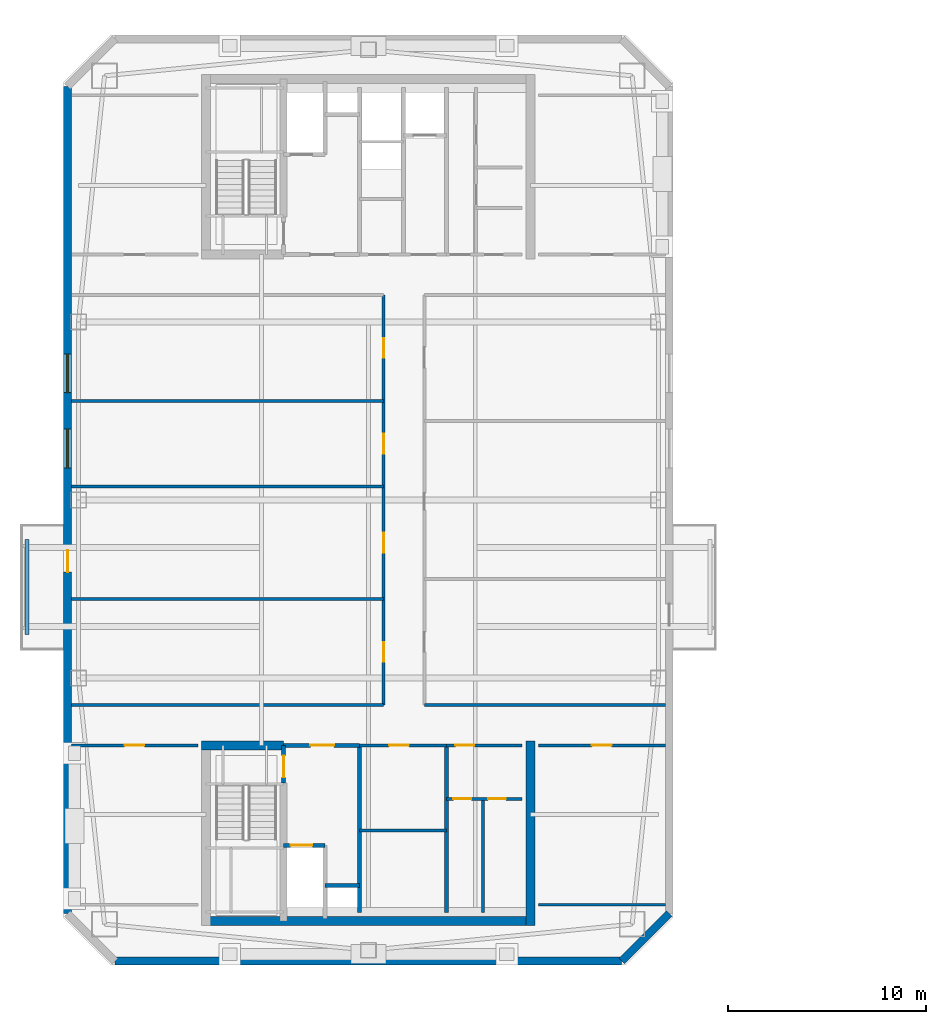
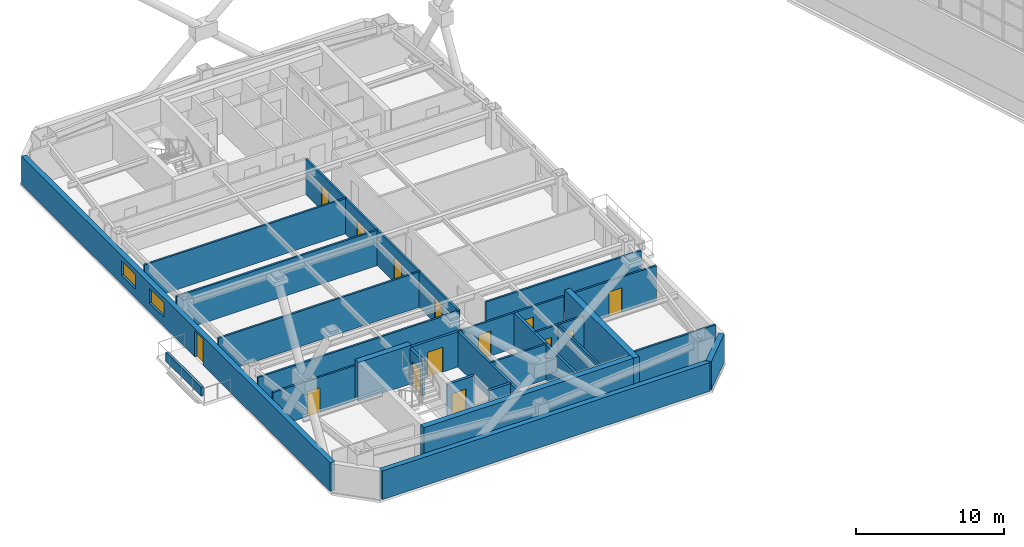
# One storey, part 48 of 56: 27 walls, 14 doors, 2 windows, 16 openings.
"""IFC4 building model written with IfcOpenShell, lengths in metres."""

from ifc_helpers import new_model, si_unit, direction, frame, frame_2d, origin, place, context, subcontext, project, spatial, rectangle, extrude, material, layer, layer_set, type_object, element, fill, save


model = new_model("IFC4")

# Units and contexts
model_context = context("Model", 3, precision=1e-05, world=origin(), true_north=direction((0.0, 1.0)))
body_context = subcontext(model_context, "Body", "Model", "MODEL_VIEW")
ifc_project = project(units=[si_unit("LENGTHUNIT", "METRE"), si_unit("AREAUNIT", "SQUARE_METRE"), si_unit("VOLUMEUNIT", "CUBIC_METRE"), si_unit("PLANEANGLEUNIT", "RADIAN"), si_unit("MASSUNIT", "GRAM", prefix="KILO")], contexts=[model_context])

# Site, building, storey
site_placement = place(None, origin())
site = spatial("IfcSite", under=ifc_project, at=site_placement, CompositionType="ELEMENT")
building_placement = place(site_placement, origin())
building = spatial("IfcBuilding", under=site, at=building_placement, Name="Qiaolan Cultural Towers", CompositionType="ELEMENT")
storey_placement = place(building_placement, frame((0.0, 0.0, 250.39990234375)))
storey = spatial("IfcBuildingStorey", under=building, at=storey_placement, Name="L68", CompositionType="ELEMENT", Elevation=250.39990234375)

# Walls
ifc_material_1 = material(Name="Concrete C50", Category="concrete")
ifc_layer_1 = layer(ifc_material_1, 0.449951171875)
ifc_layer_set_1 = layer_set([ifc_layer_1], Name="Concrete C50")
wall_type_1 = type_object("IfcWallType", Name="WL-CORE-450", PredefinedType="SHEAR", material=ifc_layer_set_1)
wall_1_placement = place(storey_placement, frame((21.574951171875, 12.719970703125, 0.0), z_axis=(0.0, 0.0, 1.0), x_axis=(1.0, 0.0, 0.0)))
element("IfcWall", 1, at=wall_1_placement, inside=storey, type_object=wall_type_1, Name="L68 T1-CS Outer Core Shear Wall", PredefinedType="SHEAR", context=body_context, shape_type="SweptSolid", body=[
    extrude(rectangle(XDim=16.85009765625, YDim=0.449951171875, at=frame_2d((8.425048828125, 0.0))), origin(), (0.0, 0.0, 1.0), 3.2001953125),
])
wall_2_placement = place(storey_placement, frame((38.199951171875, 21.824951171875, 0.0), z_axis=(0.0, 0.0, 1.0), x_axis=(0.0, -1.0, 0.0)))
element("IfcWall", 2, at=wall_2_placement, inside=storey, type_object=wall_type_1, Name="L68 T1-CS East Core Shear Wall", PredefinedType="SHEAR", context=body_context, shape_type="SweptSolid", body=[
    extrude(rectangle(XDim=9.329833984375, YDim=0.449951171875, at=frame_2d((4.6650390625, 0.0))), origin(), (0.0, 0.0, 1.0), 3.2001953125),
])
wall_3_placement = place(storey_placement, frame((21.574951171875, 21.60009765625, 0.0), z_axis=(0.0, 0.0, 1.0), x_axis=(1.0, 0.0, 0.0)))
element("IfcWall", 3, at=wall_3_placement, inside=storey, type_object=wall_type_1, Name="L68 T1-CS Stair Front Shear Wall", PredefinedType="SHEAR", context=body_context, shape_type="SweptSolid", body=[
    extrude(rectangle(XDim=4.14501953125, YDim=0.449951171875, at=frame_2d((2.072509765625, 0.0))), origin(), (0.0, 0.0, 1.0), 3.2001953125),
])

# Wall, openings, door, windows
ifc_material_2 = material(Name="Precast Concrete C50 Honed Stone Pier", Category="masonry")
ifc_layer_2 = layer(ifc_material_2, 0.39990234375)
ifc_layer_set_2 = layer_set([ifc_layer_2], Name="Precast Concrete C50 Honed Stone Pier")
wall_type_2 = type_object("IfcWallType", Name="WL-EXT-PIER-400", PredefinedType="SOLIDWALL", material=ifc_layer_set_2)
wall_4_placement = place(storey_placement, frame((14.800048828125, 13.10009765625, 0.0), z_axis=(0.0, 0.0, 1.0), x_axis=(0.0, 1.0, 0.0)))
wall_4 = element("IfcWall", 4, at=wall_4_placement, inside=storey, type_object=wall_type_2, Name="L68 West Tower Precast Pier Facade Wall F1", PredefinedType="SOLIDWALL", context=body_context, shape_type="SweptSolid", body=[
    extrude(rectangle(XDim=41.7998046875, YDim=0.39990234375, at=frame_2d((20.89990234375, 0.0))), origin(), (0.0, 0.0, 1.0), 2.360107421875),
])
opening_1_placement = place(wall_4_placement, frame((22.52490234375, 0.0, 0.75)))
opening_1 = element("IfcOpeningElement", 5, at=opening_1_placement, cuts=wall_4, Name="Opening W-06", PredefinedType="OPENING", context=body_context, shape_type="SweptSolid", body=[
    extrude(rectangle(XDim=1.949951171875, YDim=1.2099609375, at=frame_2d((0.97509765625, 0.60498046875))), frame((0.0, 0.2099609375, 0.0), z_axis=(0.0, -1.0, 0.0), x_axis=(1.0, 0.0, 0.0)), (0.0, 0.0, 1.0), 0.419921875),
])
opening_2_placement = place(wall_4_placement, frame((26.324951171875, 0.0, 0.75)))
opening_2 = element("IfcOpeningElement", 6, at=opening_2_placement, cuts=wall_4, Name="Opening W-06", PredefinedType="OPENING", context=body_context, shape_type="SweptSolid", body=[
    extrude(rectangle(XDim=1.949951171875, YDim=1.2099609375, at=frame_2d((0.97509765625, 0.60498046875))), frame((0.0, 0.2099609375, 0.0), z_axis=(0.0, -1.0, 0.0), x_axis=(1.0, 0.0, 0.0)), (0.0, 0.0, 1.0), 0.419921875),
])
opening_3_placement = place(wall_4_placement, frame((17.25, 0.0, 0.0)))
opening_3 = element("IfcOpeningElement", 7, at=opening_3_placement, cuts=wall_4, Name="Opening BD-01", PredefinedType="OPENING", context=body_context, shape_type="SweptSolid", body=[
    extrude(rectangle(XDim=1.10009765625, YDim=2.14990234375, at=frame_2d((0.550048828125, 1.074951171875))), frame((0.0, 0.2099609375, 0.0), z_axis=(0.0, -1.0, 0.0), x_axis=(1.0, 0.0, 0.0)), (0.0, 0.0, 1.0), 0.419921875),
])
ifc_material_3 = material(Name="Thermally Broken Aluminium Glazed Terrace Door", Category="aluminium")
door_type_1 = type_object("IfcDoorType", Name="DR-BAL-1100", OperationType="NOTDEFINED", PredefinedType="DOOR", material=ifc_material_3)
door_1_placement = place(opening_3_placement, origin())
door_1 = element("IfcDoor", 8, at=door_1_placement, inside=storey, type_object=door_type_1, Name="L68 T1 West Tree Balcony Door", OperationType="SINGLE_SWING_LEFT", OverallHeight=2.14990234375, OverallWidth=1.10009765625, PredefinedType="DOOR", context=body_context, shape_type="SweptSolid", body=[
    extrude(rectangle(XDim=1.10009765625, YDim=2.14990234375, at=frame_2d((0.550048828125, 1.074951171875))), frame((0.0, 0.02490234375, 0.0), z_axis=(0.0, -1.0, 0.0), x_axis=(1.0, 0.0, 0.0)), (0.0, 0.0, 1.0), 0.050048828125),
])
fill(opening_3, door_1)
ifc_material_4 = material(Name="Thermally Broken Aluminium Triple Low-E Glazing", Category="aluminium")
window_type = type_object("IfcWindowType", Name="WN-CHIC-1950", PartitioningType="SINGLE_PANEL", PredefinedType="WINDOW", material=ifc_material_4)
window_1_placement = place(opening_1_placement, origin())
window_1 = element("IfcWindow", 9, at=window_1_placement, inside=storey, type_object=window_type, Name="L68 T1 W Chicago Bay Window 1", OverallHeight=1.2099609375, OverallWidth=1.949951171875, PartitioningType="TRIPLE_PANEL_VERTICAL", PredefinedType="WINDOW", context=body_context, shape_type="SweptSolid", body=[
    extrude(rectangle(XDim=1.949951171875, YDim=1.2099609375, at=frame_2d((0.97509765625, 0.60498046875))), frame((0.0, 0.030029296875, 0.0), z_axis=(0.0, -1.0, 0.0), x_axis=(1.0, 0.0, 0.0)), (0.0, 0.0, 1.0), 0.06005859375),
])
fill(opening_1, window_1)
window_2_placement = place(opening_2_placement, origin())
window_2 = element("IfcWindow", 10, at=window_2_placement, inside=storey, type_object=window_type, Name="L68 T1 W Chicago Bay Window 2", OverallHeight=1.2099609375, OverallWidth=1.949951171875, PartitioningType="TRIPLE_PANEL_VERTICAL", PredefinedType="WINDOW", context=body_context, shape_type="SweptSolid", body=[
    extrude(rectangle(XDim=1.949951171875, YDim=1.2099609375, at=frame_2d((0.97509765625, 0.60498046875))), frame((0.0, 0.030029296875, 0.0), z_axis=(0.0, -1.0, 0.0), x_axis=(1.0, 0.0, 0.0)), (0.0, 0.0, 1.0), 0.06005859375),
])
fill(opening_2, window_2)

# Walls
wall_5_placement = place(storey_placement, frame((45.199951171875, 13.10009765625, 0.0), z_axis=(0.0, 0.0, 1.0), x_axis=(-0.707070815327, -0.707142745217, 0.0)))
element("IfcWall", 11, at=wall_5_placement, inside=storey, type_object=wall_type_2, Name="L68 West Tower Precast Pier Facade Wall F6", PredefinedType="SOLIDWALL", context=body_context, shape_type="SweptSolid", body=[
    extrude(rectangle(XDim=3.39404296875, YDim=0.39990234375, at=frame_2d((1.697021484375, 0.0))), origin(), (0.0, 0.0, 1.0), 2.360107421875),
])
wall_6_placement = place(storey_placement, frame((42.800048828125, 10.699951171875, 0.0), z_axis=(0.0, 0.0, 1.0), x_axis=(-1.0, 0.0, 0.0)))
element("IfcWall", 12, at=wall_6_placement, inside=storey, type_object=wall_type_2, Name="L68 West Tower Precast Pier Facade Wall F7", PredefinedType="SOLIDWALL", context=body_context, shape_type="SweptSolid", body=[
    extrude(rectangle(XDim=25.60009765625, YDim=0.39990234375, at=frame_2d((12.800048828125, 0.0))), origin(), (0.0, 0.0, 1.0), 2.360107421875),
])

# Wall, opening, door
ifc_material_5 = material(Name="Concrete C35 Fire Wall", Category="concrete")
ifc_layer_3 = layer(ifc_material_5, 0.199951171875)
ifc_layer_set_3 = layer_set([ifc_layer_3], Name="Concrete C35 Fire Wall")
wall_type_3 = type_object("IfcWallType", Name="WL-FIRE-200", PredefinedType="PARTITIONING", material=ifc_layer_set_3)
wall_7_placement = place(storey_placement, frame((25.719970703125, 21.60009765625, 0.0), z_axis=(0.0, 0.0, 1.0), x_axis=(0.0, -1.0, 0.0)))
wall_7 = element("IfcWall", 13, at=wall_7_placement, inside=storey, type_object=wall_type_3, Name="L68 T1-CS Smokeproof Stair Entry Wall", PredefinedType="PARTITIONING", context=body_context, shape_type="SweptSolid", body=[
    extrude(rectangle(XDim=1.900146484375, YDim=0.199951171875, at=frame_2d((0.9501953125, 0.0))), origin(), (0.0, 0.0, 1.0), 2.925048828125),
])
opening_4_placement = place(wall_7_placement, frame((0.52001953125, 0.0, 0.0)))
opening_4 = element("IfcOpeningElement", 14, at=opening_4_placement, cuts=wall_7, Name="Opening FD-04", PredefinedType="OPENING", context=body_context, shape_type="SweptSolid", body=[
    extrude(rectangle(XDim=1.10009765625, YDim=2.050048828125, at=frame_2d((0.550048828125, 1.02490234375))), frame((0.0, 0.10986328125, 0.0), z_axis=(0.0, -1.0, 0.0), x_axis=(1.0, 0.0, 0.0)), (0.0, 0.0, 1.0), 0.219970703125),
])
ifc_material_6 = material(Name="Galvanized Steel Command Fire Door", Category="steel")
door_type_2 = type_object("IfcDoorType", Name="DR-FD90-1100", OperationType="NOTDEFINED", PredefinedType="DOOR", material=ifc_material_6)
door_2_placement = place(opening_4_placement, origin())
door_2 = element("IfcDoor", 15, at=door_2_placement, inside=storey, type_object=door_type_2, Name="L68 ST-W1 Smokeproof Stair Fire Door", OperationType="SINGLE_SWING_LEFT", OverallHeight=2.050048828125, OverallWidth=1.10009765625, PredefinedType="DOOR", context=body_context, shape_type="SweptSolid", body=[
    extrude(rectangle(XDim=1.10009765625, YDim=2.050048828125, at=frame_2d((0.550048828125, 1.02490234375))), frame((0.0, 0.02490234375, 0.0), z_axis=(0.0, -1.0, 0.0), x_axis=(1.0, 0.0, 0.0)), (0.0, 0.0, 1.0), 0.050048828125),
])
fill(opening_4, door_2)

# Wall
wall_8_placement = place(storey_placement, frame((29.550048828125, 21.60009765625, 0.0), z_axis=(0.0, 0.0, 1.0), x_axis=(0.0, -1.0, 0.0)))
element("IfcWall", 16, at=wall_8_placement, inside=storey, type_object=wall_type_3, Name="L68 T1-CS Firefighting Zone Wall", PredefinedType="PARTITIONING", context=body_context, shape_type="SweptSolid", body=[
    extrude(rectangle(XDim=8.43017578125, YDim=0.199951171875, at=frame_2d((4.215087890625, 0.0))), origin(), (0.0, 0.0, 1.0), 2.925048828125),
])

# Wall, opening, door
wall_9_placement = place(storey_placement, frame((25.719970703125, 21.60009765625, 0.0), z_axis=(0.0, 0.0, 1.0), x_axis=(1.0, 0.0, 0.0)))
wall_9 = element("IfcWall", 17, at=wall_9_placement, inside=storey, type_object=wall_type_3, Name="L68 T1-CS Firefighting Lobby Front Wall", PredefinedType="PARTITIONING", context=body_context, shape_type="SweptSolid", body=[
    extrude(rectangle(XDim=3.830078125, YDim=0.199951171875, at=frame_2d((1.9150390625, 0.0))), origin(), (0.0, 0.0, 1.0), 2.925048828125),
])
opening_5_placement = place(wall_9_placement, frame((1.35009765625, 0.0, 0.0)))
opening_5 = element("IfcOpeningElement", 18, at=opening_5_placement, cuts=wall_9, Name="Opening FD-03", PredefinedType="OPENING", context=body_context, shape_type="SweptSolid", body=[
    extrude(rectangle(XDim=1.199951171875, YDim=2.050048828125, at=frame_2d((0.60009765625, 1.02490234375))), frame((0.0, 0.10986328125, 0.0), z_axis=(0.0, -1.0, 0.0), x_axis=(1.0, 0.0, 0.0)), (0.0, 0.0, 1.0), 0.219970703125),
])
ifc_material_7 = material(Name="Galvanized Steel Smokeproof Lobby Fire Door", Category="steel")
door_type_3 = type_object("IfcDoorType", Name="DR-FD90-1200", OperationType="NOTDEFINED", PredefinedType="DOOR", material=ifc_material_7)
door_3_placement = place(opening_5_placement, origin())
door_3 = element("IfcDoor", 19, at=door_3_placement, inside=storey, type_object=door_type_3, Name="L68 FFL-W1 Firefighting Lobby Fire Door", OperationType="SINGLE_SWING_LEFT", OverallHeight=2.050048828125, OverallWidth=1.199951171875, PredefinedType="DOOR", context=body_context, shape_type="SweptSolid", body=[
    extrude(rectangle(XDim=1.199951171875, YDim=2.050048828125, at=frame_2d((0.60009765625, 1.02490234375))), frame((0.0, 0.02490234375, 0.0), z_axis=(0.0, -1.0, 0.0), x_axis=(1.0, 0.0, 0.0)), (0.0, 0.0, 1.0), 0.050048828125),
])
fill(opening_5, door_3)

wall_10_placement = place(storey_placement, frame((25.719970703125, 16.550048828125, 0.0), z_axis=(0.0, 0.0, 1.0), x_axis=(1.0, 0.0, 0.0)))
wall_10 = element("IfcWall", 20, at=wall_10_placement, inside=storey, type_object=wall_type_3, Name="L68 T1-CS Firefighting Shaft Front Wall", PredefinedType="PARTITIONING", context=body_context, shape_type="SweptSolid", body=[
    extrude(rectangle(XDim=2.10009765625, YDim=0.199951171875, at=frame_2d((1.050048828125, 0.0))), origin(), (0.0, 0.0, 1.0), 2.925048828125),
])
opening_6_placement = place(wall_10_placement, frame((0.35009765625, 0.0, 0.0)))
opening_6 = element("IfcOpeningElement", 21, at=opening_6_placement, cuts=wall_10, Name="Opening LD-01", PredefinedType="OPENING", context=body_context, shape_type="SweptSolid", body=[
    extrude(rectangle(XDim=1.10009765625, YDim=2.050048828125, at=frame_2d((0.550048828125, 1.02490234375))), frame((0.0, 0.10986328125, 0.0), z_axis=(0.0, -1.0, 0.0), x_axis=(1.0, 0.0, 0.0)), (0.0, 0.0, 1.0), 0.219970703125),
])
ifc_material_8 = material(Name="Brushed Stainless Steel S30408 Centre-Parting Lift Landing Door", Category="steel")
door_type_4 = type_object("IfcDoorType", Name="DR-LIFT-1100", OperationType="NOTDEFINED", PredefinedType="DOOR", material=ifc_material_8)
door_4_placement = place(opening_6_placement, origin())
door_4 = element("IfcDoor", 22, at=door_4_placement, inside=storey, type_object=door_type_4, Name="L68 FFL-W1 Firefighting Lift Landing Door", OperationType="DOUBLE_DOOR_SLIDING", OverallHeight=2.050048828125, OverallWidth=1.10009765625, PredefinedType="DOOR", context=body_context, shape_type="SweptSolid", body=[
    extrude(rectangle(XDim=1.10009765625, YDim=2.050048828125, at=frame_2d((0.550048828125, 1.02490234375))), frame((0.0, 0.02490234375, 0.0), z_axis=(0.0, -1.0, 0.0), x_axis=(1.0, 0.0, 0.0)), (0.0, 0.0, 1.0), 0.050048828125),
])
fill(opening_6, door_4)

# Walls
wall_11_placement = place(storey_placement, frame((27.820068359375, 14.52001953125, 0.0), z_axis=(0.0, 0.0, 1.0), x_axis=(1.0, 0.0, 0.0)))
element("IfcWall", 23, at=wall_11_placement, inside=storey, type_object=wall_type_3, Name="L68 T1-CS Pressurization Shaft Front Wall", PredefinedType="PARTITIONING", context=body_context, shape_type="SweptSolid", body=[
    extrude(rectangle(XDim=1.72998046875, YDim=0.199951171875, at=frame_2d((0.864990234375, 0.0))), origin(), (0.0, 0.0, 1.0), 2.925048828125),
])
wall_12_placement = place(storey_placement, frame((33.949951171875, 21.60009765625, 0.0), z_axis=(0.0, 0.0, 1.0), x_axis=(0.0, -1.0, 0.0)))
element("IfcWall", 24, at=wall_12_placement, inside=storey, type_object=wall_type_3, Name="L68 T1-CS Lift Core East Wall", PredefinedType="PARTITIONING", context=body_context, shape_type="SweptSolid", body=[
    extrude(rectangle(XDim=8.43017578125, YDim=0.199951171875, at=frame_2d((4.215087890625, 0.0))), origin(), (0.0, 0.0, 1.0), 2.925048828125),
])

# Wall, opening, door
ifc_material_9 = material(Name="Autoclaved Aerated Concrete Block B06", Category="concrete")
ifc_layer_4 = layer(ifc_material_9, 0.14990234375)
ifc_layer_set_4 = layer_set([ifc_layer_4], Name="Autoclaved Aerated Concrete Block B06")
wall_type_4 = type_object("IfcWallType", Name="WL-PART-150", PredefinedType="PARTITIONING", material=ifc_layer_set_4)
wall_13_placement = place(storey_placement, frame((29.550048828125, 21.60009765625, 0.0), z_axis=(0.0, 0.0, 1.0), x_axis=(1.0, 0.0, 0.0)))
wall_13 = element("IfcWall", 25, at=wall_13_placement, inside=storey, type_object=wall_type_4, Name="L68 T1-CS Reclaimed Core Room Front Wall", PredefinedType="PARTITIONING", context=body_context, shape_type="SweptSolid", body=[
    extrude(rectangle(XDim=4.39990234375, YDim=0.14990234375, at=frame_2d((2.199951171875, 0.0))), origin(), (0.0, 0.0, 1.0), 2.925048828125),
])
opening_7_placement = place(wall_13_placement, frame((1.5, 0.0, 0.0)))
opening_7 = element("IfcOpeningElement", 26, at=opening_7_placement, cuts=wall_13, Name="Opening ID-04", PredefinedType="OPENING", context=body_context, shape_type="SweptSolid", body=[
    extrude(rectangle(XDim=1.0, YDim=2.050048828125, at=frame_2d((0.5, 1.02490234375))), frame((0.0, 0.0849609375, 0.0), z_axis=(0.0, -1.0, 0.0), x_axis=(1.0, 0.0, 0.0)), (0.0, 0.0, 1.0), 0.169921875),
])
ifc_material_10 = material(Name="Oak Veneer Acoustic Office Door", Category="timber")
door_type_5 = type_object("IfcDoorType", Name="DR-INT-1000", OperationType="NOTDEFINED", PredefinedType="DOOR", material=ifc_material_10)
door_5_placement = place(opening_7_placement, origin())
door_5 = element("IfcDoor", 27, at=door_5_placement, inside=storey, type_object=door_type_5, Name="L68 Focus Pod Room Door", OperationType="SINGLE_SWING_LEFT", OverallHeight=2.050048828125, OverallWidth=1.0, PredefinedType="DOOR", context=body_context, shape_type="SweptSolid", body=[
    extrude(rectangle(XDim=1.0, YDim=2.050048828125, at=frame_2d((0.5, 1.02490234375))), frame((0.0, 0.02490234375, 0.0), z_axis=(0.0, -1.0, 0.0), x_axis=(1.0, 0.0, 0.0)), (0.0, 0.0, 1.0), 0.050048828125),
])
fill(opening_7, door_5)

# Wall
wall_14_placement = place(storey_placement, frame((29.550048828125, 17.300048828125, 0.0), z_axis=(0.0, 0.0, 1.0), x_axis=(1.0, 0.0, 0.0)))
element("IfcWall", 28, at=wall_14_placement, inside=storey, type_object=wall_type_4, Name="L68 T1-CS Reclaimed Room Subdivider", PredefinedType="PARTITIONING", context=body_context, shape_type="SweptSolid", body=[
    extrude(rectangle(XDim=4.39990234375, YDim=0.14990234375, at=frame_2d((2.199951171875, 0.0))), origin(), (0.0, 0.0, 1.0), 2.925048828125),
])

# Wall, opening, door
wall_15_placement = place(storey_placement, frame((33.949951171875, 21.60009765625, 0.0), z_axis=(0.0, 0.0, 1.0), x_axis=(1.0, 0.0, 0.0)))
wall_15 = element("IfcWall", 29, at=wall_15_placement, inside=storey, type_object=wall_type_4, Name="L68 T1-CS Sanitary Core Front Wall", PredefinedType="PARTITIONING", context=body_context, shape_type="SweptSolid", body=[
    extrude(rectangle(XDim=3.800048828125, YDim=0.14990234375, at=frame_2d((1.89990234375, 0.0))), origin(), (0.0, 0.0, 1.0), 2.925048828125),
])
opening_8_placement = place(wall_15_placement, frame((0.449951171875, 0.0, 0.0)))
opening_8 = element("IfcOpeningElement", 30, at=opening_8_placement, cuts=wall_15, Name="Opening ID-05", PredefinedType="OPENING", context=body_context, shape_type="SweptSolid", body=[
    extrude(rectangle(XDim=0.949951171875, YDim=2.050048828125, at=frame_2d((0.47509765625, 1.02490234375))), frame((0.0, 0.0849609375, 0.0), z_axis=(0.0, -1.0, 0.0), x_axis=(1.0, 0.0, 0.0)), (0.0, 0.0, 1.0), 0.169921875),
])
ifc_material_11 = material(Name="Fire-Rated Laminate Accessible Core Door", Category="timber")
door_type_6 = type_object("IfcDoorType", Name="DR-INT-950", OperationType="NOTDEFINED", PredefinedType="DOOR", material=ifc_material_11)
door_6_placement = place(opening_8_placement, origin())
door_6 = element("IfcDoor", 31, at=door_6_placement, inside=storey, type_object=door_type_6, Name="L68 Sanitary Vestibule Door", OperationType="SINGLE_SWING_LEFT", OverallHeight=2.050048828125, OverallWidth=0.949951171875, PredefinedType="DOOR", context=body_context, shape_type="SweptSolid", body=[
    extrude(rectangle(XDim=0.949951171875, YDim=2.050048828125, at=frame_2d((0.47509765625, 1.02490234375))), frame((0.0, 0.02490234375, 0.0), z_axis=(0.0, -1.0, 0.0), x_axis=(1.0, 0.0, 0.0)), (0.0, 0.0, 1.0), 0.050048828125),
])
fill(opening_8, door_6)

# Wall, openings, doors
wall_16_placement = place(storey_placement, frame((33.949951171875, 18.89990234375, 0.0), z_axis=(0.0, 0.0, 1.0), x_axis=(1.0, 0.0, 0.0)))
wall_16 = element("IfcWall", 32, at=wall_16_placement, inside=storey, type_object=wall_type_4, Name="L68 T1-CS Restroom Vestibule Wall", PredefinedType="PARTITIONING", context=body_context, shape_type="SweptSolid", body=[
    extrude(rectangle(XDim=3.800048828125, YDim=0.14990234375, at=frame_2d((1.89990234375, 0.0))), origin(), (0.0, 0.0, 1.0), 2.925048828125),
])
opening_9_placement = place(wall_16_placement, frame((0.35009765625, 0.0, 0.0)))
opening_9 = element("IfcOpeningElement", 33, at=opening_9_placement, cuts=wall_16, Name="Opening ID-06", PredefinedType="OPENING", context=body_context, shape_type="SweptSolid", body=[
    extrude(rectangle(XDim=0.89990234375, YDim=2.050048828125, at=frame_2d((0.449951171875, 1.02490234375))), frame((0.0, 0.0849609375, 0.0), z_axis=(0.0, -1.0, 0.0), x_axis=(1.0, 0.0, 0.0)), (0.0, 0.0, 1.0), 0.169921875),
])
opening_10_placement = place(wall_16_placement, frame((2.10009765625, 0.0, 0.0)))
opening_10 = element("IfcOpeningElement", 34, at=opening_10_placement, cuts=wall_16, Name="Opening ID-06", PredefinedType="OPENING", context=body_context, shape_type="SweptSolid", body=[
    extrude(rectangle(XDim=0.89990234375, YDim=2.050048828125, at=frame_2d((0.449951171875, 1.02490234375))), frame((0.0, 0.0849609375, 0.0), z_axis=(0.0, -1.0, 0.0), x_axis=(1.0, 0.0, 0.0)), (0.0, 0.0, 1.0), 0.169921875),
])
ifc_material_12 = material(Name="Fire-Rated Laminate Core Service Door", Category="timber")
door_type_7 = type_object("IfcDoorType", Name="DR-INT-900", OperationType="NOTDEFINED", PredefinedType="DOOR", material=ifc_material_12)
door_7_placement = place(opening_9_placement, origin())
door_7 = element("IfcDoor", 35, at=door_7_placement, inside=storey, type_object=door_type_7, Name="L68 Men Restroom Door", OperationType="SINGLE_SWING_LEFT", OverallHeight=2.050048828125, OverallWidth=0.89990234375, PredefinedType="DOOR", context=body_context, shape_type="SweptSolid", body=[
    extrude(rectangle(XDim=0.89990234375, YDim=2.050048828125, at=frame_2d((0.449951171875, 1.02490234375))), frame((0.0, 0.02490234375, 0.0), z_axis=(0.0, -1.0, 0.0), x_axis=(1.0, 0.0, 0.0)), (0.0, 0.0, 1.0), 0.050048828125),
])
fill(opening_9, door_7)
door_8_placement = place(opening_10_placement, origin())
door_8 = element("IfcDoor", 36, at=door_8_placement, inside=storey, type_object=door_type_7, Name="L68 Accessible & Women Restroom Door", OperationType="SINGLE_SWING_RIGHT", OverallHeight=2.050048828125, OverallWidth=0.89990234375, PredefinedType="DOOR", context=body_context, shape_type="SweptSolid", body=[
    extrude(rectangle(XDim=0.89990234375, YDim=2.050048828125, at=frame_2d((0.449951171875, 1.02490234375))), frame((0.0, 0.02490234375, 0.0), z_axis=(0.0, -1.0, 0.0), x_axis=(1.0, 0.0, 0.0)), (0.0, 0.0, 1.0), 0.050048828125),
])
fill(opening_10, door_8)

# Wall
wall_17_placement = place(storey_placement, frame((35.800048828125, 18.89990234375, 0.0), z_axis=(0.0, 0.0, 1.0), x_axis=(0.0, -1.0, 0.0)))
element("IfcWall", 37, at=wall_17_placement, inside=storey, type_object=wall_type_4, Name="L68 T1-CS Restroom Divider Wall", PredefinedType="PARTITIONING", context=body_context, shape_type="SweptSolid", body=[
    extrude(rectangle(XDim=5.72998046875, YDim=0.14990234375, at=frame_2d((2.864990234375, 0.0))), origin(), (0.0, 0.0, 1.0), 2.925048828125),
])

# Wall, opening, door
wall_18_placement = place(storey_placement, frame((15.0, 21.60009765625, 0.0), z_axis=(0.0, 0.0, 1.0), x_axis=(1.0, 0.0, 0.0)))
wall_18 = element("IfcWall", 38, at=wall_18_placement, inside=storey, type_object=wall_type_4, Name="L68 T1 Flank Front FLK-SW", PredefinedType="PARTITIONING", context=body_context, shape_type="SweptSolid", body=[
    extrude(rectangle(XDim=6.39990234375, YDim=0.14990234375, at=frame_2d((3.199951171875, 0.0))), origin(), (0.0, 0.0, 1.0), 2.925048828125),
])
opening_11_placement = place(wall_18_placement, frame((2.68798828125, 0.0, 0.0)))
opening_11 = element("IfcOpeningElement", 39, at=opening_11_placement, cuts=wall_18, Name="Opening ID-04", PredefinedType="OPENING", context=body_context, shape_type="SweptSolid", body=[
    extrude(rectangle(XDim=1.0, YDim=2.050048828125, at=frame_2d((0.5, 1.02490234375))), frame((0.0, 0.0849609375, 0.0), z_axis=(0.0, -1.0, 0.0), x_axis=(1.0, 0.0, 0.0)), (0.0, 0.0, 1.0), 0.169921875),
])
door_9_placement = place(opening_11_placement, origin())
door_9 = element("IfcDoor", 40, at=door_9_placement, inside=storey, type_object=door_type_5, Name="L68 T1 Corner Studio Door", OperationType="SINGLE_SWING_LEFT", OverallHeight=2.050048828125, OverallWidth=1.0, PredefinedType="DOOR", context=body_context, shape_type="SweptSolid", body=[
    extrude(rectangle(XDim=1.0, YDim=2.050048828125, at=frame_2d((0.5, 1.02490234375))), frame((0.0, 0.02490234375, 0.0), z_axis=(0.0, -1.0, 0.0), x_axis=(1.0, 0.0, 0.0)), (0.0, 0.0, 1.0), 0.050048828125),
])
fill(opening_11, door_9)

# Wall
wall_19_placement = place(storey_placement, frame((38.60009765625, 13.550048828125, 0.0), z_axis=(0.0, 0.0, 1.0), x_axis=(1.0, 0.0, 0.0)))
element("IfcWall", 41, at=wall_19_placement, inside=storey, type_object=wall_type_4, Name="L68 T1 Flank Wall FLK-SE", PredefinedType="PARTITIONING", context=body_context, shape_type="SweptSolid", body=[
    extrude(rectangle(XDim=6.39990234375, YDim=0.14990234375, at=frame_2d((3.199951171875, 0.0))), origin(), (0.0, 0.0, 1.0), 2.925048828125),
])

# Wall, opening, door
wall_20_placement = place(storey_placement, frame((38.60009765625, 21.60009765625, 0.0), z_axis=(0.0, 0.0, 1.0), x_axis=(1.0, 0.0, 0.0)))
wall_20 = element("IfcWall", 42, at=wall_20_placement, inside=storey, type_object=wall_type_4, Name="L68 T1 Flank Front FLK-SE", PredefinedType="PARTITIONING", context=body_context, shape_type="SweptSolid", body=[
    extrude(rectangle(XDim=6.39990234375, YDim=0.14990234375, at=frame_2d((3.199951171875, 0.0))), origin(), (0.0, 0.0, 1.0), 2.925048828125),
])
opening_12_placement = place(wall_20_placement, frame((2.68798828125, 0.0, 0.0)))
opening_12 = element("IfcOpeningElement", 43, at=opening_12_placement, cuts=wall_20, Name="Opening ID-04", PredefinedType="OPENING", context=body_context, shape_type="SweptSolid", body=[
    extrude(rectangle(XDim=1.0, YDim=2.050048828125, at=frame_2d((0.5, 1.02490234375))), frame((0.0, 0.0849609375, 0.0), z_axis=(0.0, -1.0, 0.0), x_axis=(1.0, 0.0, 0.0)), (0.0, 0.0, 1.0), 0.169921875),
])
door_10_placement = place(opening_12_placement, origin())
door_10 = element("IfcDoor", 44, at=door_10_placement, inside=storey, type_object=door_type_5, Name="L68 T1 Corner Studio Door", OperationType="SINGLE_SWING_LEFT", OverallHeight=2.050048828125, OverallWidth=1.0, PredefinedType="DOOR", context=body_context, shape_type="SweptSolid", body=[
    extrude(rectangle(XDim=1.0, YDim=2.050048828125, at=frame_2d((0.5, 1.02490234375))), frame((0.0, 0.02490234375, 0.0), z_axis=(0.0, -1.0, 0.0), x_axis=(1.0, 0.0, 0.0)), (0.0, 0.0, 1.0), 0.050048828125),
])
fill(opening_12, door_10)

# Walls
wall_21_placement = place(storey_placement, frame((15.0, 23.64990234375, 0.0), z_axis=(0.0, 0.0, 1.0), x_axis=(1.0, 0.0, 0.0)))
element("IfcWall", 45, at=wall_21_placement, inside=storey, type_object=wall_type_4, Name="L68 T1 South Corridor Left Wall", PredefinedType="PARTITIONING", context=body_context, shape_type="SweptSolid", body=[
    extrude(rectangle(XDim=15.77490234375, YDim=0.14990234375, at=frame_2d((7.887451171875, 0.0))), origin(), (0.0, 0.0, 1.0), 2.925048828125),
])
wall_22_placement = place(storey_placement, frame((32.824951171875, 23.64990234375, 0.0), z_axis=(0.0, 0.0, 1.0), x_axis=(1.0, 0.0, 0.0)))
element("IfcWall", 46, at=wall_22_placement, inside=storey, type_object=wall_type_4, Name="L68 T1 South Corridor Right Wall", PredefinedType="PARTITIONING", context=body_context, shape_type="SweptSolid", body=[
    extrude(rectangle(XDim=12.175048828125, YDim=0.14990234375, at=frame_2d((6.08740234375, 0.0))), origin(), (0.0, 0.0, 1.0), 2.925048828125),
])

# Wall, openings, doors
wall_23_placement = place(storey_placement, frame((30.77490234375, 23.64990234375, 0.0), z_axis=(0.0, 0.0, 1.0), x_axis=(0.0, 1.0, 0.0)))
wall_23 = element("IfcWall", 47, at=wall_23_placement, inside=storey, type_object=wall_type_4, Name="L68 T1 West Spine Wall", PredefinedType="PARTITIONING", context=body_context, shape_type="SweptSolid", body=[
    extrude(rectangle(XDim=20.7001953125, YDim=0.14990234375, at=frame_2d((10.35009765625, 0.0))), origin(), (0.0, 0.0, 1.0), 2.925048828125),
])
opening_13_placement = place(wall_23_placement, frame((2.175048828125, 0.0, 0.0)))
opening_13 = element("IfcOpeningElement", 48, at=opening_13_placement, cuts=wall_23, Name="Opening ID-04", PredefinedType="OPENING", context=body_context, shape_type="SweptSolid", body=[
    extrude(rectangle(XDim=1.0, YDim=2.050048828125, at=frame_2d((0.5, 1.02490234375))), frame((0.0, 0.0849609375, 0.0), z_axis=(0.0, -1.0, 0.0), x_axis=(1.0, 0.0, 0.0)), (0.0, 0.0, 1.0), 0.169921875),
])
opening_14_placement = place(wall_23_placement, frame((7.68994140625, 0.0, 0.0)))
opening_14 = element("IfcOpeningElement", 49, at=opening_14_placement, cuts=wall_23, Name="Opening ID-04", PredefinedType="OPENING", context=body_context, shape_type="SweptSolid", body=[
    extrude(rectangle(XDim=1.0, YDim=2.050048828125, at=frame_2d((0.5, 1.02490234375))), frame((0.0, 0.0849609375, 0.0), z_axis=(0.0, -1.0, 0.0), x_axis=(1.0, 0.0, 0.0)), (0.0, 0.0, 1.0), 0.169921875),
])
opening_15_placement = place(wall_23_placement, frame((12.68994140625, 0.0, 0.0)))
opening_15 = element("IfcOpeningElement", 50, at=opening_15_placement, cuts=wall_23, Name="Opening ID-04", PredefinedType="OPENING", context=body_context, shape_type="SweptSolid", body=[
    extrude(rectangle(XDim=1.0, YDim=2.050048828125, at=frame_2d((0.5, 1.02490234375))), frame((0.0, 0.0849609375, 0.0), z_axis=(0.0, -1.0, 0.0), x_axis=(1.0, 0.0, 0.0)), (0.0, 0.0, 1.0), 0.169921875),
])
opening_16_placement = place(wall_23_placement, frame((17.52490234375, 0.0, 0.0)))
opening_16 = element("IfcOpeningElement", 51, at=opening_16_placement, cuts=wall_23, Name="Opening ID-04", PredefinedType="OPENING", context=body_context, shape_type="SweptSolid", body=[
    extrude(rectangle(XDim=1.0, YDim=2.050048828125, at=frame_2d((0.5, 1.02490234375))), frame((0.0, 0.0849609375, 0.0), z_axis=(0.0, -1.0, 0.0), x_axis=(1.0, 0.0, 0.0)), (0.0, 0.0, 1.0), 0.169921875),
])
door_11_placement = place(opening_13_placement, origin())
door_11 = element("IfcDoor", 52, at=door_11_placement, inside=storey, type_object=door_type_5, Name="L68 T1 Chairman Office Door", OperationType="SINGLE_SWING_LEFT", OverallHeight=2.050048828125, OverallWidth=1.0, PredefinedType="DOOR", context=body_context, shape_type="SweptSolid", body=[
    extrude(rectangle(XDim=1.0, YDim=2.050048828125, at=frame_2d((0.5, 1.02490234375))), frame((0.0, 0.02490234375, 0.0), z_axis=(0.0, -1.0, 0.0), x_axis=(1.0, 0.0, 0.0)), (0.0, 0.0, 1.0), 0.050048828125),
])
fill(opening_13, door_11)
door_12_placement = place(opening_14_placement, origin())
door_12 = element("IfcDoor", 53, at=door_12_placement, inside=storey, type_object=door_type_5, Name="L68 T1 Managing Partner Office Door", OperationType="SINGLE_SWING_RIGHT", OverallHeight=2.050048828125, OverallWidth=1.0, PredefinedType="DOOR", context=body_context, shape_type="SweptSolid", body=[
    extrude(rectangle(XDim=1.0, YDim=2.050048828125, at=frame_2d((0.5, 1.02490234375))), frame((0.0, 0.02490234375, 0.0), z_axis=(0.0, -1.0, 0.0), x_axis=(1.0, 0.0, 0.0)), (0.0, 0.0, 1.0), 0.050048828125),
])
fill(opening_14, door_12)
door_13_placement = place(opening_15_placement, origin())
door_13 = element("IfcDoor", 54, at=door_13_placement, inside=storey, type_object=door_type_5, Name="L68 T1 Senior Counsel Office Door", OperationType="SINGLE_SWING_LEFT", OverallHeight=2.050048828125, OverallWidth=1.0, PredefinedType="DOOR", context=body_context, shape_type="SweptSolid", body=[
    extrude(rectangle(XDim=1.0, YDim=2.050048828125, at=frame_2d((0.5, 1.02490234375))), frame((0.0, 0.02490234375, 0.0), z_axis=(0.0, -1.0, 0.0), x_axis=(1.0, 0.0, 0.0)), (0.0, 0.0, 1.0), 0.050048828125),
])
fill(opening_15, door_13)
door_14_placement = place(opening_16_placement, origin())
door_14 = element("IfcDoor", 55, at=door_14_placement, inside=storey, type_object=door_type_5, Name="L68 T1 Executive Boardroom Door", OperationType="SINGLE_SWING_RIGHT", OverallHeight=2.050048828125, OverallWidth=1.0, PredefinedType="DOOR", context=body_context, shape_type="SweptSolid", body=[
    extrude(rectangle(XDim=1.0, YDim=2.050048828125, at=frame_2d((0.5, 1.02490234375))), frame((0.0, 0.02490234375, 0.0), z_axis=(0.0, -1.0, 0.0), x_axis=(1.0, 0.0, 0.0)), (0.0, 0.0, 1.0), 0.050048828125),
])
fill(opening_16, door_14)

# Walls
for number, where, z_axis, x_axis, name in (
    (56, (15.0, 29.0, 0.0), (0.0, 0.0, 1.0), (1.0, 0.0, 0.0), "L68 T1 West Partition 1"),
    (57, (15.0, 34.679931640625, 0.0), (0.0, 0.0, 1.0), (1.0, 0.0, 0.0), "L68 T1 West Partition 2"),
    (58, (15.0, 39.0, 0.0), (0.0, 0.0, 1.0), (1.0, 0.0, 0.0), "L68 T1 West Partition 3"),
):
    element("IfcWall", number, at=place(storey_placement, frame(where, z_axis=z_axis, x_axis=x_axis)), inside=storey, type_object=wall_type_4, Name=name, PredefinedType="PARTITIONING", context=body_context, shape_type="SweptSolid", body=[
        extrude(rectangle(XDim=15.77490234375, YDim=0.14990234375, at=frame_2d((7.887451171875, 0.0))), origin(), (0.0, 0.0, 1.0), 2.925048828125),
    ])
ifc_material_13 = material(Name="Precast Concrete C45 Tree Planter Upstand", Category="concrete")
ifc_layer_5 = layer(ifc_material_13, 0.199951171875)
ifc_layer_set_5 = layer_set([ifc_layer_5], Name="Precast Concrete C45 Tree Planter Upstand")
wall_type_5 = type_object("IfcWallType", Name="WL-PLANTER-200", PredefinedType="PARAPET", material=ifc_layer_set_5)
wall_24_placement = place(storey_placement, frame((12.75, 27.199951171875, 0.0), z_axis=(0.0, 0.0, 1.0), x_axis=(0.0, 1.0, 0.0)))
element("IfcWall", 59, at=wall_24_placement, inside=storey, type_object=wall_type_5, Name="L68 T1 Tree Balcony Soil Planter Box W", PredefinedType="PARAPET", context=body_context, shape_type="SweptSolid", body=[
    extrude(rectangle(XDim=4.800048828125, YDim=0.199951171875, at=frame_2d((2.39990234375, 0.0))), origin(), (0.0, 0.0, 1.0), 0.75),
])

save(model, "model.ifc")
